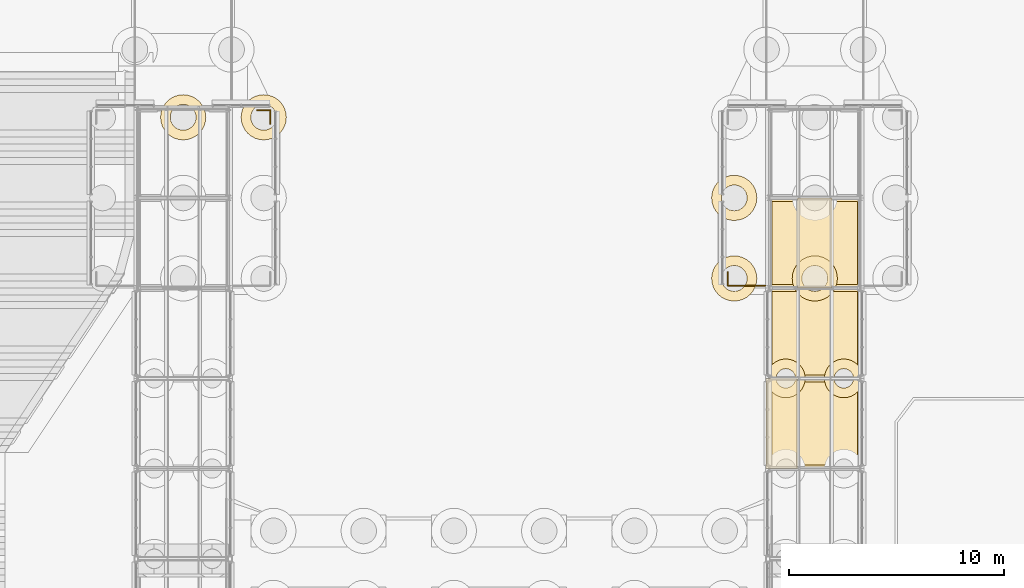
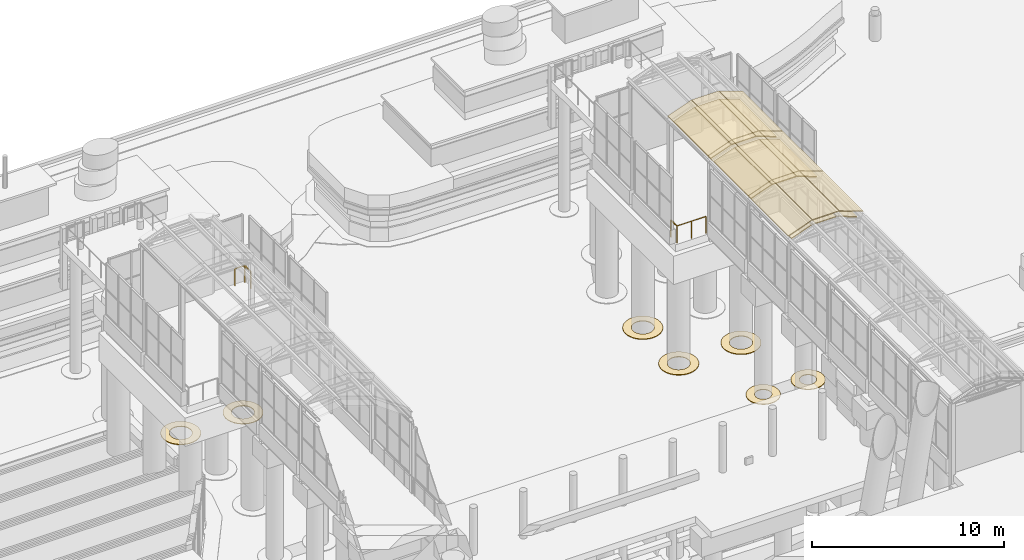
# One storey, part 189 of 222: 25 coverings, 4 railings.
"""IFC4 building model written with IfcOpenShell, lengths in metres."""

from ifc_helpers import new_model, si_unit, direction, frame, origin, origin_2d, place, context, subcontext, project, spatial, polyline, circle, outline, extrude, material, layer, layer_set, type_object, element, save


model = new_model("IFC4")

# Units and contexts
model_context = context("Model", 3, precision=1e-05, world=origin(), true_north=direction((0.0, 1.0)))
body_context = subcontext(model_context, "Body", "Model", "MODEL_VIEW")
ifc_project = project(units=[si_unit("LENGTHUNIT", "METRE"), si_unit("AREAUNIT", "SQUARE_METRE"), si_unit("VOLUMEUNIT", "CUBIC_METRE"), si_unit("PLANEANGLEUNIT", "RADIAN"), si_unit("MASSUNIT", "GRAM", prefix="KILO")], contexts=[model_context])

# Site, building, storey
site_placement = place(None, origin())
site = spatial("IfcSite", under=ifc_project, at=site_placement, CompositionType="ELEMENT")
building_placement = place(site_placement, origin())
building = spatial("IfcBuilding", under=site, at=building_placement, Name="Sava Quay Ferry Terminal", CompositionType="ELEMENT")
storey_placement = place(building_placement, origin())
storey = spatial("IfcBuildingStorey", under=building, at=storey_placement, Name="L00", CompositionType="ELEMENT", Elevation=0.0)

# Railings
ifc_material_1 = material(Name="Steel S355", Category="steel")
railing_type = type_object("IfcRailingType", Name="Edge guard 1100", PredefinedType="GUARDRAIL", material=ifc_material_1)
railing_1_placement = place(storey_placement, frame((52.35009765625, 142.050048828125, 0.0)))
element("IfcRailing", 1, at=railing_1_placement, inside=storey, type_object=railing_type, Name="Berth head north-east corner guard", PredefinedType="GUARDRAIL", context=body_context, shape_type="SweptSolid", body=[
    extrude(circle(Radius=0.02392578125, at=origin_2d()), frame((0.0, 0.0, 1.076171875), z_axis=(0.0, 1.0, 0.0), x_axis=(-1.0, 0.0, 0.0)), (0.0, 0.0, 1.0), 0.6298828125),
    extrude(circle(Radius=0.02099609375, at=origin_2d()), origin(), (0.0, 0.0, 1.0), 1.052001953125),
    extrude(circle(Radius=0.02099609375, at=origin_2d()), frame((0.0, 0.6298828125, 0.0)), (0.0, 0.0, 1.0), 1.052001953125),
])
railing_2_placement = place(storey_placement, frame((52.35009765625, 142.679931640625, 0.0)))
element("IfcRailing", 2, at=railing_2_placement, inside=storey, type_object=railing_type, Name="Berth head north-east corner guard", PredefinedType="GUARDRAIL", context=body_context, shape_type="SweptSolid", body=[
    extrude(circle(Radius=0.02392578125, at=origin_2d()), frame((0.0, 0.0, 1.076171875), z_axis=(-1.0, 0.0, 0.0), x_axis=(0.0, -1.0, 0.0)), (0.0, 0.0, 1.0), 0.60009765625),
    extrude(circle(Radius=0.02099609375, at=origin_2d()), origin(), (0.0, 0.0, 1.0), 1.052001953125),
    extrude(circle(Radius=0.02099609375, at=origin_2d()), frame((-0.60009765625, 0.0, 0.0)), (0.0, 0.0, 1.0), 1.052001953125),
])
railing_3_placement = place(storey_placement, frame((73.64990234375, 134.52001953125, 0.0)))
element("IfcRailing", 3, at=railing_3_placement, inside=storey, type_object=railing_type, Name="Berth head south guard west", PredefinedType="GUARDRAIL", context=body_context, shape_type="SweptSolid", body=[
    extrude(circle(Radius=0.02392578125, at=origin_2d()), frame((0.0, 0.0, 1.076171875), z_axis=(1.0, 0.0, 0.0), x_axis=(0.0, 1.0, 0.0)), (0.0, 0.0, 1.0), 1.75),
    extrude(circle(Radius=0.02099609375, at=origin_2d()), origin(), (0.0, 0.0, 1.0), 1.052001953125),
    extrude(circle(Radius=0.02099609375, at=origin_2d()), frame((0.875, 0.0, 0.0)), (0.0, 0.0, 1.0), 1.052001953125),
    extrude(circle(Radius=0.02099609375, at=origin_2d()), frame((1.75, 0.0, 0.0)), (0.0, 0.0, 1.0), 1.052001953125),
])
railing_4_placement = place(storey_placement, frame((73.64990234375, 134.52001953125, 0.0)))
element("IfcRailing", 4, at=railing_4_placement, inside=storey, type_object=railing_type, Name="Berth head south-west corner guard", PredefinedType="GUARDRAIL", context=body_context, shape_type="SweptSolid", body=[
    extrude(circle(Radius=0.02392578125, at=origin_2d()), frame((0.0, 0.0, 1.076171875), z_axis=(0.0, 1.0, 0.0), x_axis=(-1.0, 0.0, 0.0)), (0.0, 0.0, 1.0), 0.6298828125),
    extrude(circle(Radius=0.02099609375, at=origin_2d()), origin(), (0.0, 0.0, 1.0), 1.052001953125),
    extrude(circle(Radius=0.02099609375, at=origin_2d()), frame((0.0, 0.6298828125, 0.0)), (0.0, 0.0, 1.0), 1.052001953125),
])

# Coverings
ifc_material_2 = material(Name="Glulam GL28h", Category="wood")
ifc_layer_1 = layer(ifc_material_2, 0.06005859375)
ifc_layer_set_1 = layer_set([ifc_layer_1], Name="Glulam GL28h")
covering_type_1 = type_object("IfcCoveringType", Name="Glulam soffit lining 60", PredefinedType="CEILING", material=ifc_layer_set_1)
covering_1_placement = place(storey_placement, frame((75.71728515625, 126.159912109375, 4.645751953125), z_axis=(-0.342028329159, 0.0, 0.939689641346), x_axis=(0.939689641346, 0.0, 0.342028329159)))
element("IfcCovering", 5, at=covering_1_placement, inside=storey, type_object=covering_type_1, Name="Boarding gallery B2 timber soffit lining bay 5 facet 1", PredefinedType="CEILING", context=body_context, shape_type="SweptSolid", body=[
    extrude(outline(polyline([(0.0, 0.0), (1.3055444975084805, 0.0), (1.3055444975084805, 3.880126953125001), (0.0, 3.880126953125001), (0.0, 0.0)])), origin(), (0.0, 0.0, -1.0), 0.06005859375),
])
covering_2_placement = place(storey_placement, frame((76.963623046875, 126.159912109375, 5.095703125), z_axis=(0.0, 0.0, 1.0), x_axis=(1.0, 0.0, 0.0)))
element("IfcCovering", 6, at=covering_2_placement, inside=storey, type_object=covering_type_1, Name="Boarding gallery B2 timber soffit lining bay 5 facet 2", PredefinedType="CEILING", context=body_context, shape_type="SweptSolid", body=[
    extrude(outline(polyline([(0.0, 0.0), (1.472900390625, 0.0), (1.472900390625, 3.880126953125), (0.0, 3.880126953125), (0.0, 0.0)])), origin(), (0.0, 0.0, -1.0), 0.06005859375),
])
covering_3_placement = place(storey_placement, frame((78.455810546875, 126.159912109375, 5.09228515625), z_axis=(0.341968236193, 0.0, 0.939711511814), x_axis=(0.939711511814, 0.0, -0.341968236193)))
element("IfcCovering", 7, at=covering_3_placement, inside=storey, type_object=covering_type_1, Name="Boarding gallery B2 timber soffit lining bay 5 facet 3", PredefinedType="CEILING", context=body_context, shape_type="SweptSolid", body=[
    extrude(outline(polyline([(0.0, 0.0), (1.305773916594794, 0.0), (1.305773916594794, 3.880126953125), (0.0, 3.880126953125), (0.0, 0.0)])), origin(), (0.0, 0.0, -1.0), 0.06005859375),
])
covering_4_placement = place(storey_placement, frame((75.71728515625, 130.360107421875, 4.645751953125), z_axis=(-0.342028329159, 0.0, 0.939689641346), x_axis=(0.939689641346, 0.0, 0.342028329159)))
element("IfcCovering", 8, at=covering_4_placement, inside=storey, type_object=covering_type_1, Name="Boarding gallery B2 timber soffit lining bay 6 facet 1", PredefinedType="CEILING", context=body_context, shape_type="SweptSolid", body=[
    extrude(outline(polyline([(0.0, 0.0), (1.3055444975084805, 0.0), (1.3055444975084805, 3.8798828125), (0.0, 3.8798828125), (0.0, 0.0)])), origin(), (0.0, 0.0, -1.0), 0.06005859375),
])
covering_5_placement = place(storey_placement, frame((76.963623046875, 130.360107421875, 5.095703125), z_axis=(0.0, 0.0, 1.0), x_axis=(1.0, 0.0, 0.0)))
element("IfcCovering", 9, at=covering_5_placement, inside=storey, type_object=covering_type_1, Name="Boarding gallery B2 timber soffit lining bay 6 facet 2", PredefinedType="CEILING", context=body_context, shape_type="SweptSolid", body=[
    extrude(outline(polyline([(0.0, 0.0), (1.472900390625, 0.0), (1.472900390625, 3.8798828125), (0.0, 3.8798828125), (0.0, 0.0)])), origin(), (0.0, 0.0, -1.0), 0.06005859375),
])
covering_6_placement = place(storey_placement, frame((78.455810546875, 130.360107421875, 5.09228515625), z_axis=(0.341968236193, 0.0, 0.939711511814), x_axis=(0.939711511814, 0.0, -0.341968236193)))
element("IfcCovering", 10, at=covering_6_placement, inside=storey, type_object=covering_type_1, Name="Boarding gallery B2 timber soffit lining bay 6 facet 3", PredefinedType="CEILING", context=body_context, shape_type="SweptSolid", body=[
    extrude(outline(polyline([(0.0, 0.0), (1.305773916594794, 0.0), (1.305773916594794, 3.8798828125), (0.0, 3.8798828125), (0.0, 0.0)])), origin(), (0.0, 0.0, -1.0), 0.06005859375),
])
covering_7_placement = place(storey_placement, frame((75.71728515625, 134.56005859375, 4.645751953125), z_axis=(-0.342028329159, 0.0, 0.939689641346), x_axis=(0.939689641346, 0.0, 0.342028329159)))
element("IfcCovering", 11, at=covering_7_placement, inside=storey, type_object=covering_type_1, Name="Boarding gallery B2 timber soffit lining bay 7 facet 1", PredefinedType="CEILING", context=body_context, shape_type="SweptSolid", body=[
    extrude(outline(polyline([(0.0, 0.0), (1.3055444975084805, 0.0), (1.3055444975084805, 3.8798828125), (0.0, 3.8798828125), (0.0, 0.0)])), origin(), (0.0, 0.0, -1.0), 0.06005859375),
])
covering_8_placement = place(storey_placement, frame((76.963623046875, 134.56005859375, 5.095703125), z_axis=(0.0, 0.0, 1.0), x_axis=(1.0, 0.0, 0.0)))
element("IfcCovering", 12, at=covering_8_placement, inside=storey, type_object=covering_type_1, Name="Boarding gallery B2 timber soffit lining bay 7 facet 2", PredefinedType="CEILING", context=body_context, shape_type="SweptSolid", body=[
    extrude(outline(polyline([(0.0, 0.0), (1.472900390625, 0.0), (1.472900390625, 3.8798828125), (0.0, 3.8798828125), (0.0, 0.0)])), origin(), (0.0, 0.0, -1.0), 0.06005859375),
])
covering_9_placement = place(storey_placement, frame((78.455810546875, 134.56005859375, 5.09228515625), z_axis=(0.341968236193, 0.0, 0.939711511814), x_axis=(0.939711511814, 0.0, -0.341968236193)))
element("IfcCovering", 13, at=covering_9_placement, inside=storey, type_object=covering_type_1, Name="Boarding gallery B2 timber soffit lining bay 7 facet 3", PredefinedType="CEILING", context=body_context, shape_type="SweptSolid", body=[
    extrude(outline(polyline([(0.0, 0.0), (1.305773916594794, 0.0), (1.305773916594794, 3.8798828125), (0.0, 3.8798828125), (0.0, 0.0)])), origin(), (0.0, 0.0, -1.0), 0.06005859375),
])
ifc_material_3 = material(Name="Water")
ifc_layer_2 = layer(ifc_material_3, 0.0400390625)
ifc_layer_set_2 = layer_set([ifc_layer_2], Name="Water")
covering_type_2 = type_object("IfcCoveringType", Name="River foam collar", PredefinedType="CLADDING", material=ifc_layer_set_2)
covering_10_placement = place(storey_placement, frame((0.0, 0.0, -8.0)))
element("IfcCovering", 14, at=covering_10_placement, inside=storey, type_object=covering_type_2, Name="River foam collar", PredefinedType="CLADDING", context=body_context, shape_type="SweptSolid", body=[
    extrude(outline(polyline([(75.60009765625, 130.700927734375), (75.51611328125, 130.544921875), (75.465087890625, 130.3759765625), (75.447998046875, 130.199951171875), (75.465087890625, 130.02392578125), (75.51611328125, 129.85498046875), (75.60009765625, 129.698974609375), (75.7119140625, 129.56201171875), (75.84912109375, 129.449951171875), (76.0048828125, 129.365966796875), (76.174072265625, 129.31494140625), (76.35009765625, 129.298095703125), (76.52587890625, 129.31494140625), (76.695068359375, 129.365966796875), (76.85107421875, 129.449951171875), (76.988037109375, 129.56201171875), (77.10009765625, 129.698974609375), (77.18408203125, 129.85498046875), (77.235107421875, 130.02392578125), (77.251953125, 130.199951171875), (77.235107421875, 130.3759765625), (77.18408203125, 130.544921875), (77.10009765625, 130.700927734375), (76.988037109375, 130.837890625), (76.85107421875, 130.949951171875), (76.695068359375, 131.033935546875), (76.52587890625, 131.0849609375), (76.35009765625, 131.10205078125), (76.174072265625, 131.0849609375), (76.0048828125, 131.033935546875), (75.84912109375, 130.949951171875), (75.7119140625, 130.837890625), (75.60009765625, 130.700927734375)]), holes=[polyline([(75.97607421875, 129.949951171875), (75.93408203125, 130.028076171875), (75.908935546875, 130.112060546875), (75.89990234375, 130.199951171875), (75.908935546875, 130.2880859375), (75.93408203125, 130.3720703125), (75.97607421875, 130.449951171875), (76.031982421875, 130.51806640625), (76.10009765625, 130.573974609375), (76.177978515625, 130.615966796875), (76.261962890625, 130.64111328125), (76.35009765625, 130.64990234375), (76.43798828125, 130.64111328125), (76.52197265625, 130.615966796875), (76.60009765625, 130.573974609375), (76.66796875, 130.51806640625), (76.72412109375, 130.449951171875), (76.76611328125, 130.3720703125), (76.791015625, 130.2880859375), (76.800048828125, 130.199951171875), (76.791015625, 130.112060546875), (76.76611328125, 130.028076171875), (76.72412109375, 129.949951171875), (76.66796875, 129.882080078125), (76.60009765625, 129.825927734375), (76.52197265625, 129.783935546875), (76.43798828125, 129.759033203125), (76.35009765625, 129.75), (76.261962890625, 129.759033203125), (76.177978515625, 129.783935546875), (76.10009765625, 129.825927734375), (76.031982421875, 129.882080078125), (75.97607421875, 129.949951171875)])]), origin(), (0.0, 0.0, 1.0), 0.0400390625),
])
covering_11_placement = place(storey_placement, frame((0.0, 0.0, -8.0)))
element("IfcCovering", 15, at=covering_11_placement, inside=storey, type_object=covering_type_2, Name="River foam collar", PredefinedType="CLADDING", context=body_context, shape_type="SweptSolid", body=[
    extrude(outline(polyline([(78.412109375, 130.837890625), (78.300048828125, 130.700927734375), (78.216064453125, 130.544921875), (78.1650390625, 130.3759765625), (78.14794921875, 130.199951171875), (78.1650390625, 130.02392578125), (78.216064453125, 129.85498046875), (78.300048828125, 129.698974609375), (78.412109375, 129.56201171875), (78.549072265625, 129.449951171875), (78.705078125, 129.365966796875), (78.8740234375, 129.31494140625), (79.050048828125, 129.298095703125), (79.22607421875, 129.31494140625), (79.39501953125, 129.365966796875), (79.551025390625, 129.449951171875), (79.68798828125, 129.56201171875), (79.800048828125, 129.698974609375), (79.884033203125, 129.85498046875), (79.93505859375, 130.02392578125), (79.951904296875, 130.199951171875), (79.93505859375, 130.3759765625), (79.884033203125, 130.544921875), (79.800048828125, 130.700927734375), (79.68798828125, 130.837890625), (79.551025390625, 130.949951171875), (79.39501953125, 131.033935546875), (79.22607421875, 131.0849609375), (79.050048828125, 131.10205078125), (78.8740234375, 131.0849609375), (78.705078125, 131.033935546875), (78.549072265625, 130.949951171875), (78.412109375, 130.837890625)]), holes=[polyline([(78.73193359375, 129.882080078125), (78.676025390625, 129.949951171875), (78.634033203125, 130.028076171875), (78.60888671875, 130.112060546875), (78.60009765625, 130.199951171875), (78.60888671875, 130.2880859375), (78.634033203125, 130.3720703125), (78.676025390625, 130.449951171875), (78.73193359375, 130.51806640625), (78.800048828125, 130.573974609375), (78.8779296875, 130.615966796875), (78.9619140625, 130.64111328125), (79.050048828125, 130.64990234375), (79.137939453125, 130.64111328125), (79.221923828125, 130.615966796875), (79.300048828125, 130.573974609375), (79.367919921875, 130.51806640625), (79.424072265625, 130.449951171875), (79.466064453125, 130.3720703125), (79.490966796875, 130.2880859375), (79.5, 130.199951171875), (79.490966796875, 130.112060546875), (79.466064453125, 130.028076171875), (79.424072265625, 129.949951171875), (79.367919921875, 129.882080078125), (79.300048828125, 129.825927734375), (79.221923828125, 129.783935546875), (79.137939453125, 129.759033203125), (79.050048828125, 129.75), (78.9619140625, 129.759033203125), (78.8779296875, 129.783935546875), (78.800048828125, 129.825927734375), (78.73193359375, 129.882080078125)])]), origin(), (0.0, 0.0, 1.0), 0.0400390625),
])
covering_12_placement = place(storey_placement, frame((0.0, 0.0, -8.0)))
element("IfcCovering", 16, at=covering_12_placement, inside=storey, type_object=covering_type_2, Name="River foam collar", PredefinedType="CLADDING", context=body_context, shape_type="SweptSolid", body=[
    extrude(outline(polyline([(48.300048828125, 143.402099609375), (48.094970703125, 143.382080078125), (47.89697265625, 143.322021484375), (47.715087890625, 143.22509765625), (47.555908203125, 143.093994140625), (47.425048828125, 142.93505859375), (47.327880859375, 142.7529296875), (47.26806640625, 142.554931640625), (47.248046875, 142.35009765625), (47.26806640625, 142.14501953125), (47.327880859375, 141.947021484375), (47.425048828125, 141.764892578125), (47.555908203125, 141.60595703125), (47.715087890625, 141.47509765625), (47.89697265625, 141.3779296875), (48.094970703125, 141.318115234375), (48.300048828125, 141.298095703125), (48.5048828125, 141.318115234375), (48.702880859375, 141.3779296875), (48.885009765625, 141.47509765625), (49.0439453125, 141.60595703125), (49.175048828125, 141.764892578125), (49.27197265625, 141.947021484375), (49.33203125, 142.14501953125), (49.35205078125, 142.35009765625), (49.33203125, 142.554931640625), (49.27197265625, 142.7529296875), (49.175048828125, 142.93505859375), (49.0439453125, 143.093994140625), (48.885009765625, 143.22509765625), (48.702880859375, 143.322021484375), (48.5048828125, 143.382080078125), (48.300048828125, 143.402099609375)]), holes=[polyline([(48.300048828125, 141.75), (48.18310546875, 141.761962890625), (48.070068359375, 141.7958984375), (47.967041015625, 141.85107421875), (47.8759765625, 141.926025390625), (47.801025390625, 142.01708984375), (47.74609375, 142.1201171875), (47.7119140625, 142.23291015625), (47.699951171875, 142.35009765625), (47.7119140625, 142.467041015625), (47.74609375, 142.580078125), (47.801025390625, 142.68310546875), (47.8759765625, 142.77392578125), (47.967041015625, 142.84912109375), (48.070068359375, 142.904052734375), (48.18310546875, 142.93798828125), (48.300048828125, 142.949951171875), (48.4169921875, 142.93798828125), (48.530029296875, 142.904052734375), (48.633056640625, 142.84912109375), (48.72412109375, 142.77392578125), (48.799072265625, 142.68310546875), (48.85400390625, 142.580078125), (48.887939453125, 142.467041015625), (48.89990234375, 142.35009765625), (48.887939453125, 142.23291015625), (48.85400390625, 142.1201171875), (48.799072265625, 142.01708984375), (48.72412109375, 141.926025390625), (48.633056640625, 141.85107421875), (48.530029296875, 141.7958984375), (48.4169921875, 141.761962890625), (48.300048828125, 141.75)])]), origin(), (0.0, 0.0, 1.0), 0.0400390625),
])
covering_13_placement = place(storey_placement, frame((0.0, 0.0, -8.0)))
element("IfcCovering", 17, at=covering_13_placement, inside=storey, type_object=covering_type_2, Name="River foam collar", PredefinedType="CLADDING", context=body_context, shape_type="SweptSolid", body=[
    extrude(outline(polyline([(52.635009765625, 143.22509765625), (52.452880859375, 143.322021484375), (52.2548828125, 143.382080078125), (52.050048828125, 143.402099609375), (51.844970703125, 143.382080078125), (51.64697265625, 143.322021484375), (51.465087890625, 143.22509765625), (51.305908203125, 143.093994140625), (51.175048828125, 142.93505859375), (51.077880859375, 142.7529296875), (51.01806640625, 142.554931640625), (50.998046875, 142.35009765625), (51.01806640625, 142.14501953125), (51.077880859375, 141.947021484375), (51.175048828125, 141.764892578125), (51.305908203125, 141.60595703125), (51.465087890625, 141.47509765625), (51.64697265625, 141.3779296875), (51.844970703125, 141.318115234375), (52.050048828125, 141.298095703125), (52.2548828125, 141.318115234375), (52.452880859375, 141.3779296875), (52.635009765625, 141.47509765625), (52.7939453125, 141.60595703125), (52.925048828125, 141.764892578125), (53.02197265625, 141.947021484375), (53.08203125, 142.14501953125), (53.10205078125, 142.35009765625), (53.08203125, 142.554931640625), (53.02197265625, 142.7529296875), (52.925048828125, 142.93505859375), (52.7939453125, 143.093994140625), (52.635009765625, 143.22509765625)]), holes=[polyline([(52.383056640625, 141.85107421875), (52.280029296875, 141.7958984375), (52.1669921875, 141.761962890625), (52.050048828125, 141.75), (51.93310546875, 141.761962890625), (51.820068359375, 141.7958984375), (51.717041015625, 141.85107421875), (51.6259765625, 141.926025390625), (51.551025390625, 142.01708984375), (51.49609375, 142.1201171875), (51.4619140625, 142.23291015625), (51.449951171875, 142.35009765625), (51.4619140625, 142.467041015625), (51.49609375, 142.580078125), (51.551025390625, 142.68310546875), (51.6259765625, 142.77392578125), (51.717041015625, 142.84912109375), (51.820068359375, 142.904052734375), (51.93310546875, 142.93798828125), (52.050048828125, 142.949951171875), (52.1669921875, 142.93798828125), (52.280029296875, 142.904052734375), (52.383056640625, 142.84912109375), (52.47412109375, 142.77392578125), (52.549072265625, 142.68310546875), (52.60400390625, 142.580078125), (52.637939453125, 142.467041015625), (52.64990234375, 142.35009765625), (52.637939453125, 142.23291015625), (52.60400390625, 142.1201171875), (52.549072265625, 142.01708984375), (52.47412109375, 141.926025390625), (52.383056640625, 141.85107421875)])]), origin(), (0.0, 0.0, 1.0), 0.0400390625),
])
covering_14_placement = place(storey_placement, frame((0.0, 0.0, -8.0)))
element("IfcCovering", 18, at=covering_14_placement, inside=storey, type_object=covering_type_2, Name="River foam collar", PredefinedType="CLADDING", context=body_context, shape_type="SweptSolid", body=[
    extrude(outline(polyline([(74.694091796875, 135.593994140625), (74.534912109375, 135.72509765625), (74.35302734375, 135.822021484375), (74.155029296875, 135.882080078125), (73.949951171875, 135.902099609375), (73.7451171875, 135.882080078125), (73.547119140625, 135.822021484375), (73.364990234375, 135.72509765625), (73.2060546875, 135.593994140625), (73.074951171875, 135.43505859375), (72.97802734375, 135.2529296875), (72.91796875, 135.054931640625), (72.89794921875, 134.85009765625), (72.91796875, 134.64501953125), (72.97802734375, 134.447021484375), (73.074951171875, 134.264892578125), (73.2060546875, 134.10595703125), (73.364990234375, 133.97509765625), (73.547119140625, 133.8779296875), (73.7451171875, 133.818115234375), (73.949951171875, 133.798095703125), (74.155029296875, 133.818115234375), (74.35302734375, 133.8779296875), (74.534912109375, 133.97509765625), (74.694091796875, 134.10595703125), (74.824951171875, 134.264892578125), (74.922119140625, 134.447021484375), (74.98193359375, 134.64501953125), (75.001953125, 134.85009765625), (74.98193359375, 135.054931640625), (74.922119140625, 135.2529296875), (74.824951171875, 135.43505859375), (74.694091796875, 135.593994140625)]), holes=[polyline([(74.3740234375, 134.426025390625), (74.282958984375, 134.35107421875), (74.179931640625, 134.2958984375), (74.06689453125, 134.261962890625), (73.949951171875, 134.25), (73.8330078125, 134.261962890625), (73.719970703125, 134.2958984375), (73.616943359375, 134.35107421875), (73.52587890625, 134.426025390625), (73.450927734375, 134.51708984375), (73.39599609375, 134.6201171875), (73.362060546875, 134.73291015625), (73.35009765625, 134.85009765625), (73.362060546875, 134.967041015625), (73.39599609375, 135.080078125), (73.450927734375, 135.18310546875), (73.52587890625, 135.27392578125), (73.616943359375, 135.34912109375), (73.719970703125, 135.404052734375), (73.8330078125, 135.43798828125), (73.949951171875, 135.449951171875), (74.06689453125, 135.43798828125), (74.179931640625, 135.404052734375), (74.282958984375, 135.34912109375), (74.3740234375, 135.27392578125), (74.448974609375, 135.18310546875), (74.50390625, 135.080078125), (74.5380859375, 134.967041015625), (74.550048828125, 134.85009765625), (74.5380859375, 134.73291015625), (74.50390625, 134.6201171875), (74.448974609375, 134.51708984375), (74.3740234375, 134.426025390625)])]), origin(), (0.0, 0.0, 1.0), 0.0400390625),
])
covering_15_placement = place(storey_placement, frame((0.0, 0.0, -8.0)))
element("IfcCovering", 19, at=covering_15_placement, inside=storey, type_object=covering_type_2, Name="River foam collar", PredefinedType="CLADDING", context=body_context, shape_type="SweptSolid", body=[
    extrude(outline(polyline([(74.824951171875, 139.18505859375), (74.694091796875, 139.343994140625), (74.534912109375, 139.47509765625), (74.35302734375, 139.572021484375), (74.155029296875, 139.632080078125), (73.949951171875, 139.652099609375), (73.7451171875, 139.632080078125), (73.547119140625, 139.572021484375), (73.364990234375, 139.47509765625), (73.2060546875, 139.343994140625), (73.074951171875, 139.18505859375), (72.97802734375, 139.0029296875), (72.91796875, 138.804931640625), (72.89794921875, 138.60009765625), (72.91796875, 138.39501953125), (72.97802734375, 138.197021484375), (73.074951171875, 138.014892578125), (73.2060546875, 137.85595703125), (73.364990234375, 137.72509765625), (73.547119140625, 137.6279296875), (73.7451171875, 137.568115234375), (73.949951171875, 137.548095703125), (74.155029296875, 137.568115234375), (74.35302734375, 137.6279296875), (74.534912109375, 137.72509765625), (74.694091796875, 137.85595703125), (74.824951171875, 138.014892578125), (74.922119140625, 138.197021484375), (74.98193359375, 138.39501953125), (75.001953125, 138.60009765625), (74.98193359375, 138.804931640625), (74.922119140625, 139.0029296875), (74.824951171875, 139.18505859375)]), holes=[polyline([(74.448974609375, 138.26708984375), (74.3740234375, 138.176025390625), (74.282958984375, 138.10107421875), (74.179931640625, 138.0458984375), (74.06689453125, 138.011962890625), (73.949951171875, 138.0), (73.8330078125, 138.011962890625), (73.719970703125, 138.0458984375), (73.616943359375, 138.10107421875), (73.52587890625, 138.176025390625), (73.450927734375, 138.26708984375), (73.39599609375, 138.3701171875), (73.362060546875, 138.48291015625), (73.35009765625, 138.60009765625), (73.362060546875, 138.717041015625), (73.39599609375, 138.830078125), (73.450927734375, 138.93310546875), (73.52587890625, 139.02392578125), (73.616943359375, 139.09912109375), (73.719970703125, 139.154052734375), (73.8330078125, 139.18798828125), (73.949951171875, 139.199951171875), (74.06689453125, 139.18798828125), (74.179931640625, 139.154052734375), (74.282958984375, 139.09912109375), (74.3740234375, 139.02392578125), (74.448974609375, 138.93310546875), (74.50390625, 138.830078125), (74.5380859375, 138.717041015625), (74.550048828125, 138.60009765625), (74.5380859375, 138.48291015625), (74.50390625, 138.3701171875), (74.448974609375, 138.26708984375)])]), origin(), (0.0, 0.0, 1.0), 0.0400390625),
])
covering_16_placement = place(storey_placement, frame((0.0, 0.0, -8.0)))
element("IfcCovering", 20, at=covering_16_placement, inside=storey, type_object=covering_type_2, Name="River foam collar", PredefinedType="CLADDING", context=body_context, shape_type="SweptSolid", body=[
    extrude(outline(polyline([(78.73193359375, 135.054931640625), (78.672119140625, 135.2529296875), (78.574951171875, 135.43505859375), (78.444091796875, 135.593994140625), (78.284912109375, 135.72509765625), (78.10302734375, 135.822021484375), (77.905029296875, 135.882080078125), (77.699951171875, 135.902099609375), (77.4951171875, 135.882080078125), (77.297119140625, 135.822021484375), (77.114990234375, 135.72509765625), (76.9560546875, 135.593994140625), (76.824951171875, 135.43505859375), (76.72802734375, 135.2529296875), (76.66796875, 135.054931640625), (76.64794921875, 134.85009765625), (76.66796875, 134.64501953125), (76.72802734375, 134.447021484375), (76.824951171875, 134.264892578125), (76.9560546875, 134.10595703125), (77.114990234375, 133.97509765625), (77.297119140625, 133.8779296875), (77.4951171875, 133.818115234375), (77.699951171875, 133.798095703125), (77.905029296875, 133.818115234375), (78.10302734375, 133.8779296875), (78.284912109375, 133.97509765625), (78.444091796875, 134.10595703125), (78.574951171875, 134.264892578125), (78.672119140625, 134.447021484375), (78.73193359375, 134.64501953125), (78.751953125, 134.85009765625), (78.73193359375, 135.054931640625)]), holes=[polyline([(78.2880859375, 134.73291015625), (78.25390625, 134.6201171875), (78.198974609375, 134.51708984375), (78.1240234375, 134.426025390625), (78.032958984375, 134.35107421875), (77.929931640625, 134.2958984375), (77.81689453125, 134.261962890625), (77.699951171875, 134.25), (77.5830078125, 134.261962890625), (77.469970703125, 134.2958984375), (77.366943359375, 134.35107421875), (77.27587890625, 134.426025390625), (77.200927734375, 134.51708984375), (77.14599609375, 134.6201171875), (77.112060546875, 134.73291015625), (77.10009765625, 134.85009765625), (77.112060546875, 134.967041015625), (77.14599609375, 135.080078125), (77.200927734375, 135.18310546875), (77.27587890625, 135.27392578125), (77.366943359375, 135.34912109375), (77.469970703125, 135.404052734375), (77.5830078125, 135.43798828125), (77.699951171875, 135.449951171875), (77.81689453125, 135.43798828125), (77.929931640625, 135.404052734375), (78.032958984375, 135.34912109375), (78.1240234375, 135.27392578125), (78.198974609375, 135.18310546875), (78.25390625, 135.080078125), (78.2880859375, 134.967041015625), (78.300048828125, 134.85009765625), (78.2880859375, 134.73291015625)])]), origin(), (0.0, 0.0, 1.0), 0.0400390625),
])
ifc_material_4 = material(Name="Zinc standing seam sheet")
ifc_layer_3 = layer(ifc_material_4, 0.0400390625)
ifc_layer_set_3 = layer_set([ifc_layer_3], Name="Zinc standing seam sheet")
covering_type_3 = type_object("IfcCoveringType", Name="Standing seam roofing 40", PredefinedType="ROOFING", material=ifc_layer_set_3)
covering_17_placement = place(storey_placement, frame((75.43603515625, 126.010009765625, 4.979736328125), z_axis=(-0.342089424704, 0.0, 0.939667401534), x_axis=(0.939667401534, 0.0, 0.342089424704)))
element("IfcCovering", 21, at=covering_17_placement, inside=storey, type_object=covering_type_3, Name="Boarding gallery B2 roofing bay 5 facet 1", PredefinedType="ROOFING", context=body_context, shape_type="SweptSolid", body=[
    extrude(outline(polyline([(0.0, 0.0), (1.5279778922638676, 0.0), (1.5279778922638676, 4.179931640625), (0.0, 4.179931640625), (0.0, 0.0)])), origin(), (0.0, 0.0, -1.0), 0.0400390625),
])
covering_18_placement = place(storey_placement, frame((76.891357421875, 126.010009765625, 5.505859375), z_axis=(0.0, 0.0, 1.0), x_axis=(1.0, 0.0, 0.0)))
element("IfcCovering", 22, at=covering_18_placement, inside=storey, type_object=covering_type_3, Name="Boarding gallery B2 roofing bay 5 facet 2", PredefinedType="ROOFING", context=body_context, shape_type="SweptSolid", body=[
    extrude(outline(polyline([(0.0, 0.0), (1.617431640625, 0.0), (1.617431640625, 4.179931640625), (0.0, 4.179931640625), (0.0, 0.0)])), origin(), (0.0, 0.0, -1.0), 0.0400390625),
])
for number, where, z_axis, x_axis, name in (
    (23, (78.528076171875, 126.010009765625, 5.50244140625), (0.342089424704, 0.0, 0.939667401534), (0.939667401534, 0.0, -0.342089424704), "Boarding gallery B2 roofing bay 5 facet 3"),
    (24, (75.43603515625, 130.2099609375, 4.979736328125), (-0.342089424704, 0.0, 0.939667401534), (0.939667401534, 0.0, 0.342089424704), "Boarding gallery B2 roofing bay 6 facet 1"),
):
    element("IfcCovering", number, at=place(storey_placement, frame(where, z_axis=z_axis, x_axis=x_axis)), inside=storey, type_object=covering_type_3, Name=name, PredefinedType="ROOFING", context=body_context, shape_type="SweptSolid", body=[
        extrude(outline(polyline([(0.0, 0.0), (1.5279778922638676, 0.0), (1.5279778922638676, 4.179931640625), (0.0, 4.179931640625), (0.0, 0.0)])), origin(), (0.0, 0.0, -1.0), 0.0400390625),
    ])
covering_19_placement = place(storey_placement, frame((76.891357421875, 130.2099609375, 5.505859375), z_axis=(0.0, 0.0, 1.0), x_axis=(1.0, 0.0, 0.0)))
element("IfcCovering", 25, at=covering_19_placement, inside=storey, type_object=covering_type_3, Name="Boarding gallery B2 roofing bay 6 facet 2", PredefinedType="ROOFING", context=body_context, shape_type="SweptSolid", body=[
    extrude(outline(polyline([(0.0, 0.0), (1.617431640625, 0.0), (1.617431640625, 4.179931640625), (0.0, 4.179931640625), (0.0, 0.0)])), origin(), (0.0, 0.0, -1.0), 0.0400390625),
])
covering_20_placement = place(storey_placement, frame((78.528076171875, 130.2099609375, 5.50244140625), z_axis=(0.342089424704, 0.0, 0.939667401534), x_axis=(0.939667401534, 0.0, -0.342089424704)))
element("IfcCovering", 26, at=covering_20_placement, inside=storey, type_object=covering_type_3, Name="Boarding gallery B2 roofing bay 6 facet 3", PredefinedType="ROOFING", context=body_context, shape_type="SweptSolid", body=[
    extrude(outline(polyline([(0.0, 0.0), (1.5279778922638676, 0.0), (1.5279778922638676, 4.179931640625), (0.0, 4.179931640625), (0.0, 0.0)])), origin(), (0.0, 0.0, -1.0), 0.0400390625),
])
covering_21_placement = place(storey_placement, frame((75.43603515625, 134.409912109375, 4.979736328125), z_axis=(-0.342089424704, 0.0, 0.939667401534), x_axis=(0.939667401534, 0.0, 0.342089424704)))
element("IfcCovering", 27, at=covering_21_placement, inside=storey, type_object=covering_type_3, Name="Boarding gallery B2 roofing bay 7 facet 1", PredefinedType="ROOFING", context=body_context, shape_type="SweptSolid", body=[
    extrude(outline(polyline([(0.0, 0.0), (1.5279778922638676, 0.0), (1.5279778922638676, 4.18017578125), (0.0, 4.18017578125), (0.0, 0.0)])), origin(), (0.0, 0.0, -1.0), 0.0400390625),
])
covering_22_placement = place(storey_placement, frame((76.891357421875, 134.409912109375, 5.505859375), z_axis=(0.0, 0.0, 1.0), x_axis=(1.0, 0.0, 0.0)))
element("IfcCovering", 28, at=covering_22_placement, inside=storey, type_object=covering_type_3, Name="Boarding gallery B2 roofing bay 7 facet 2", PredefinedType="ROOFING", context=body_context, shape_type="SweptSolid", body=[
    extrude(outline(polyline([(0.0, 0.0), (1.617431640625, 0.0), (1.617431640625, 4.18017578125), (0.0, 4.18017578125), (0.0, 0.0)])), origin(), (0.0, 0.0, -1.0), 0.0400390625),
])
covering_23_placement = place(storey_placement, frame((78.528076171875, 134.409912109375, 5.50244140625), z_axis=(0.342089424704, 0.0, 0.939667401534), x_axis=(0.939667401534, 0.0, -0.342089424704)))
element("IfcCovering", 29, at=covering_23_placement, inside=storey, type_object=covering_type_3, Name="Boarding gallery B2 roofing bay 7 facet 3", PredefinedType="ROOFING", context=body_context, shape_type="SweptSolid", body=[
    extrude(outline(polyline([(0.0, 0.0), (1.5279778922638676, 0.0), (1.5279778922638676, 4.18017578125), (0.0, 4.18017578125), (0.0, 0.0)])), origin(), (0.0, 0.0, -1.0), 0.0400390625),
])

save(model, "model.ifc")
